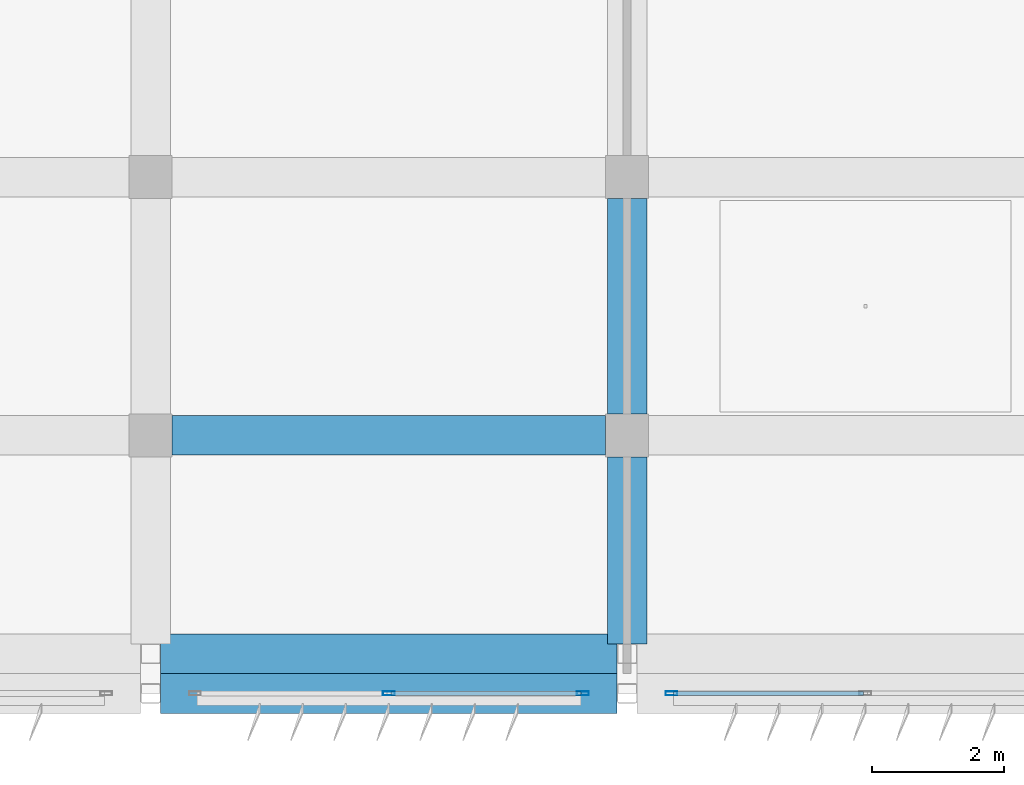
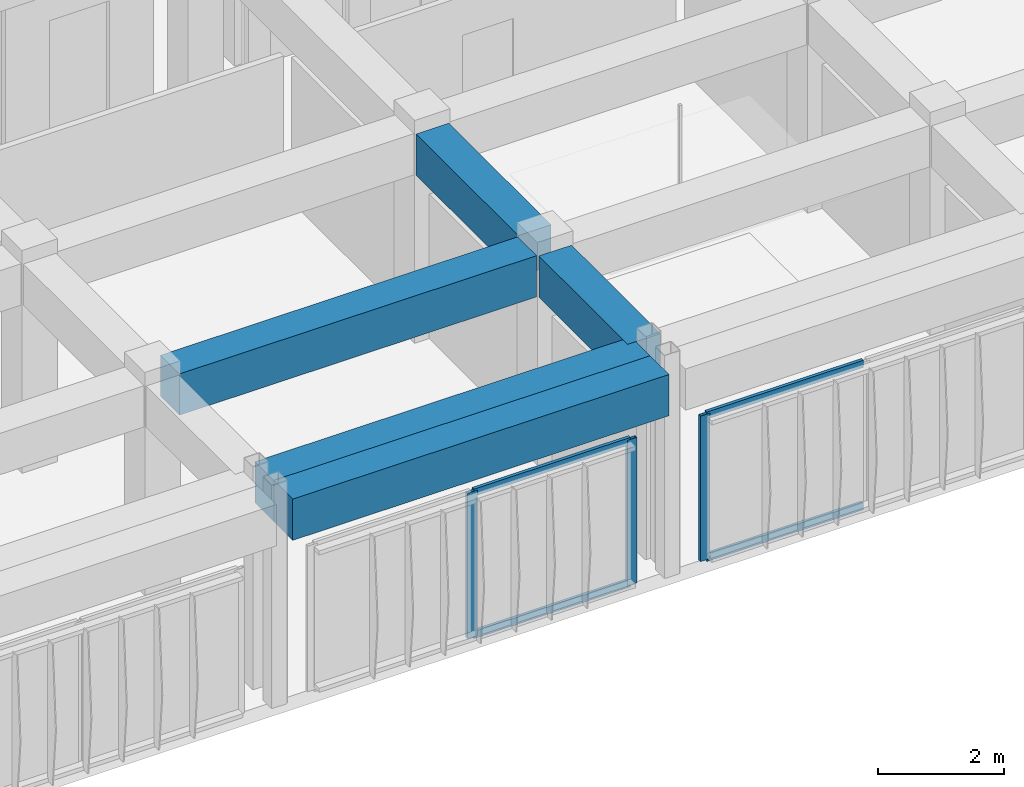
# One storey, part 8 of 53: 7 members, 5 beams, 2 elements without a shape of their own.
"""IFC4 building model written with IfcOpenShell, lengths in metres."""

from ifc_helpers import new_model, si_unit, direction, frame, origin, origin_2d, place, context, subcontext, project, spatial, rectangle, hollow_rectangle, extrude, material, material_profile, profile_set, type_object, element, aggregate, save


model = new_model("IFC4")

# Units and contexts
model_context = context("Model", 3, precision=1e-05, world=origin(), true_north=direction((0.0, 1.0)))
body_context = subcontext(model_context, "Body", "Model", "MODEL_VIEW")
ifc_project = project(units=[si_unit("LENGTHUNIT", "METRE"), si_unit("AREAUNIT", "SQUARE_METRE"), si_unit("VOLUMEUNIT", "CUBIC_METRE"), si_unit("PLANEANGLEUNIT", "RADIAN"), si_unit("MASSUNIT", "GRAM", prefix="KILO")], contexts=[model_context])

# Site, building, storey
site_placement = place(None, origin())
site = spatial("IfcSite", under=ifc_project, at=site_placement, CompositionType="ELEMENT")
building_placement = place(site_placement, origin())
building = spatial("IfcBuilding", under=site, at=building_placement, Name="Kazehaya Institute of Natural Sciences", CompositionType="ELEMENT")
storey_placement = place(building_placement, frame((0.0, 0.0, 33.300048828125)))
storey = spatial("IfcBuildingStorey", under=building, at=storey_placement, Name="L07", CompositionType="ELEMENT", Elevation=33.300048828125)

# Beams
ifc_material_1 = material(Name="Concrete Fc36", Category="concrete")
ifc_material_profile_1 = material_profile(ifc_material_1, rectangle(XDim=0.60009765625, YDim=0.800048828125, at=origin_2d()), Name="RC-600x800")
ifc_profile_set_1 = profile_set([ifc_material_profile_1], Name="Concrete Fc36")
beam_type = type_object("IfcBeamType", Name="BM-G-600x800", PredefinedType="BEAM", material=ifc_profile_set_1)
for number, where, z_axis, x_axis, name in (
    (1, (76.35009765625, 6.199951171875, 3.64990234375), (1.0, 0.0, 0.0), (0.0, 1.0, 0.0), "L07 primary X girder BMX-L07-762-62"),
    (2, (76.35009765625, 6.800048828125, 3.64990234375), (1.0, 0.0, 0.0), (0.0, 1.0, 0.0), "L07 primary X girder BMX-L07-762-68"),
):
    element("IfcBeam", number, at=place(storey_placement, frame(where, z_axis=z_axis, x_axis=x_axis)), inside=storey, type_object=beam_type, Name=name, PredefinedType="BEAM", context=body_context, shape_type="SweptSolid", body=[
        extrude(rectangle(XDim=0.60009765625, YDim=0.800048828125, at=origin_2d()), origin(), (0.0, 0.0, 1.0), 6.89990234375),
    ])
beam_1_placement = place(storey_placement, frame((76.52490234375, 10.10009765625, 3.64990234375), z_axis=(1.0, 0.0, 0.0), x_axis=(0.0, 1.0, 0.0)))
element("IfcBeam", 3, at=beam_1_placement, inside=storey, type_object=beam_type, Name="L07 primary X girder BMX-L07-762-101", PredefinedType="BEAM", context=body_context, shape_type="SweptSolid", body=[
    extrude(rectangle(XDim=0.60009765625, YDim=0.800048828125, at=origin_2d()), origin(), (0.0, 0.0, 1.0), 6.550048828125),
])
beam_2_placement = place(storey_placement, frame((83.39990234375, 6.949951171875, 3.64990234375), z_axis=(0.0, 1.0, 0.0), x_axis=(-1.0, 0.0, 0.0)))
element("IfcBeam", 4, at=beam_2_placement, inside=storey, type_object=beam_type, Name="L07 primary Y girder BMY-L07-834-68", PredefinedType="BEAM", context=body_context, shape_type="SweptSolid", body=[
    extrude(rectangle(XDim=0.60009765625, YDim=0.800048828125, at=origin_2d()), origin(), (0.0, 0.0, 1.0), 2.824951171875),
])
beam_3_placement = place(storey_placement, frame((83.39990234375, 10.425048828125, 3.64990234375), z_axis=(0.0, 1.0, 0.0), x_axis=(-1.0, 0.0, 0.0)))
element("IfcBeam", 5, at=beam_3_placement, inside=storey, type_object=beam_type, Name="L07 primary Y girder BMY-L07-834-101", PredefinedType="BEAM", context=body_context, shape_type="SweptSolid", body=[
    extrude(rectangle(XDim=0.60009765625, YDim=0.800048828125, at=origin_2d()), origin(), (0.0, 0.0, 1.0), 3.25),
])

# Curtain wall, member
ifc_material_2 = material(Name="Aluminium alloy A6063S-T5", Category="aluminium")
curtain_wall_type = type_object("IfcCurtainWallType", Name="CW-SYS-05", PredefinedType="NOTDEFINED", material=ifc_material_2)
curtain_wall_1_placement = place(storey_placement, origin())
curtain_wall_1 = element("IfcCurtainWall", 6, at=curtain_wall_1_placement, inside=storey, type_object=curtain_wall_type, Name="L07 unitised curtain wall CW-L07-152", PredefinedType="NOTDEFINED")
ifc_material_profile_2 = material_profile(ifc_material_2, hollow_rectangle(XDim=0.06005859375, YDim=0.179931640625, WallThickness=0.00390625, at=origin_2d()), Name="ALU-60x180x4")
ifc_profile_set_2 = profile_set([ifc_material_profile_2], Name="Aluminium alloy A6063S-T5")
member_type_1 = type_object("IfcMemberType", Name="CWM-180", PredefinedType="MULLION", material=ifc_profile_set_2)
member_1_placement = place(storey_placement, frame((84.070068359375, 6.199951171875, 0.0), z_axis=(0.0, 0.0, 1.0), x_axis=(0.0, -1.0, 0.0)))
member_1 = element("IfcMember", 7, at=member_1_placement, type_object=member_type_1, Name="CW05 mullion 3", PredefinedType="MULLION", context=body_context, shape_type="SweptSolid", body=[
    extrude(hollow_rectangle(XDim=0.06005859375, YDim=0.179931640625, WallThickness=0.00390625, at=origin_2d()), origin(), (0.0, 0.0, 1.0), 2.820068359375),
])

# Curtain wall, members
curtain_wall_2_placement = place(storey_placement, origin())
curtain_wall_2 = element("IfcCurtainWall", 8, at=curtain_wall_2_placement, inside=storey, type_object=curtain_wall_type, Name="L07 unitised curtain wall CW-L07-153", PredefinedType="NOTDEFINED")
member_2_placement = place(storey_placement, frame((82.72998046875, 6.199951171875, 0.0), z_axis=(0.0, 0.0, 1.0), x_axis=(0.0, -1.0, 0.0)))
member_2 = element("IfcMember", 9, at=member_2_placement, type_object=member_type_1, Name="CW05 mullion 1", PredefinedType="MULLION", context=body_context, shape_type="SweptSolid", body=[
    extrude(hollow_rectangle(XDim=0.06005859375, YDim=0.179931640625, WallThickness=0.00390625, at=origin_2d()), origin(), (0.0, 0.0, 1.0), 2.820068359375),
])
member_3_placement = place(storey_placement, frame((79.800048828125, 6.199951171875, 0.0), z_axis=(0.0, 0.0, 1.0), x_axis=(0.0, -1.0, 0.0)))
member_3 = element("IfcMember", 10, at=member_3_placement, type_object=member_type_1, Name="CW05 mullion 2", PredefinedType="MULLION", context=body_context, shape_type="SweptSolid", body=[
    extrude(hollow_rectangle(XDim=0.06005859375, YDim=0.179931640625, WallThickness=0.00390625, at=origin_2d()), origin(), (0.0, 0.0, 1.0), 2.820068359375),
])

# Member
ifc_material_profile_3 = material_profile(ifc_material_2, hollow_rectangle(XDim=0.06005859375, YDim=0.139892578125, WallThickness=0.00341796875, at=origin_2d()), Name="ALU-60x140x3.5")
ifc_profile_set_3 = profile_set([ifc_material_profile_3], Name="Aluminium alloy A6063S-T5")
member_type_2 = type_object("IfcMemberType", Name="CWT-140", PredefinedType="USERDEFINED", material=ifc_profile_set_3)
member_4_placement = place(storey_placement, frame((86.969970703125, 6.199951171875, 0.030029296875), z_axis=(-1.0, 0.0, 0.0), x_axis=(0.0, -1.0, 0.0)))
member_4 = element("IfcMember", 11, at=member_4_placement, type_object=member_type_2, Name="CW05 transom 2.1", ObjectType="TRANSOM", PredefinedType="USERDEFINED", context=body_context, shape_type="SweptSolid", body=[
    extrude(hollow_rectangle(XDim=0.06005859375, YDim=0.139892578125, WallThickness=0.00341796875, at=origin_2d()), origin(), (0.0, 0.0, 1.0), 2.869873046875),
])

member_5_placement = place(storey_placement, frame((86.969970703125, 6.199951171875, 2.7900390625), z_axis=(-1.0, 0.0, 0.0), x_axis=(0.0, -1.0, 0.0)))
member_5 = element("IfcMember", 12, at=member_5_placement, type_object=member_type_2, Name="CW05 transom 2.2", ObjectType="TRANSOM", PredefinedType="USERDEFINED", context=body_context, shape_type="SweptSolid", body=[
    extrude(hollow_rectangle(XDim=0.06005859375, YDim=0.139892578125, WallThickness=0.00341796875, at=origin_2d()), origin(), (0.0, 0.0, 1.0), 2.869873046875),
])

aggregate(curtain_wall_1, [member_1, member_4, member_5])

member_6_placement = place(storey_placement, frame((82.699951171875, 6.199951171875, 0.030029296875), z_axis=(-1.0, 0.0, 0.0), x_axis=(0.0, -1.0, 0.0)))
member_6 = element("IfcMember", 13, at=member_6_placement, type_object=member_type_2, Name="CW05 transom 1.1", ObjectType="TRANSOM", PredefinedType="USERDEFINED", context=body_context, shape_type="SweptSolid", body=[
    extrude(hollow_rectangle(XDim=0.06005859375, YDim=0.139892578125, WallThickness=0.00341796875, at=origin_2d()), origin(), (0.0, 0.0, 1.0), 2.869873046875),
])

member_7_placement = place(storey_placement, frame((82.699951171875, 6.199951171875, 2.7900390625), z_axis=(-1.0, 0.0, 0.0), x_axis=(0.0, -1.0, 0.0)))
member_7 = element("IfcMember", 14, at=member_7_placement, type_object=member_type_2, Name="CW05 transom 1.2", ObjectType="TRANSOM", PredefinedType="USERDEFINED", context=body_context, shape_type="SweptSolid", body=[
    extrude(hollow_rectangle(XDim=0.06005859375, YDim=0.139892578125, WallThickness=0.00341796875, at=origin_2d()), origin(), (0.0, 0.0, 1.0), 2.869873046875),
])

aggregate(curtain_wall_2, [member_2, member_3, member_6, member_7])

save(model, "model.ifc")
